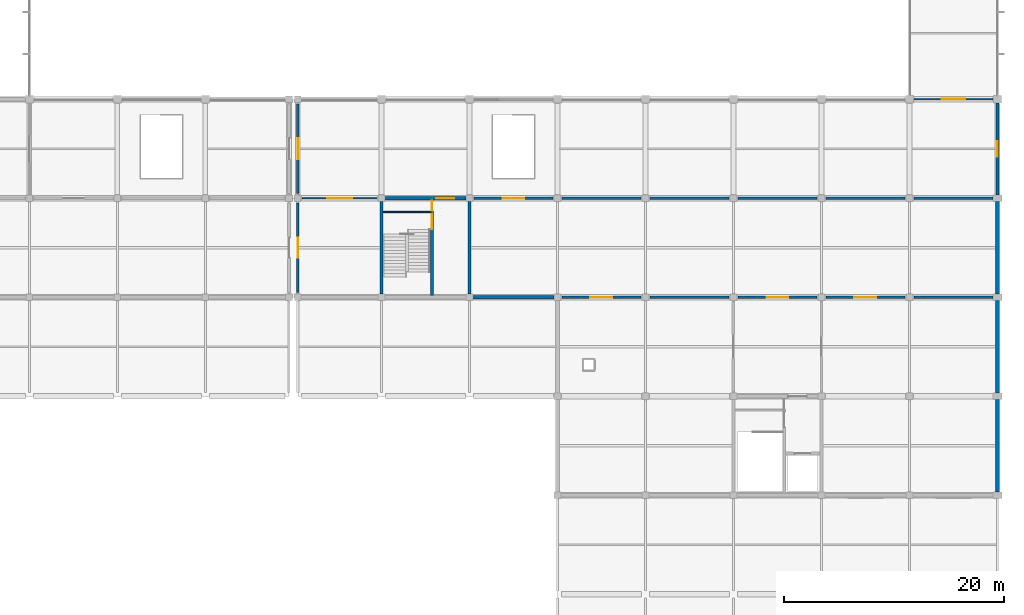
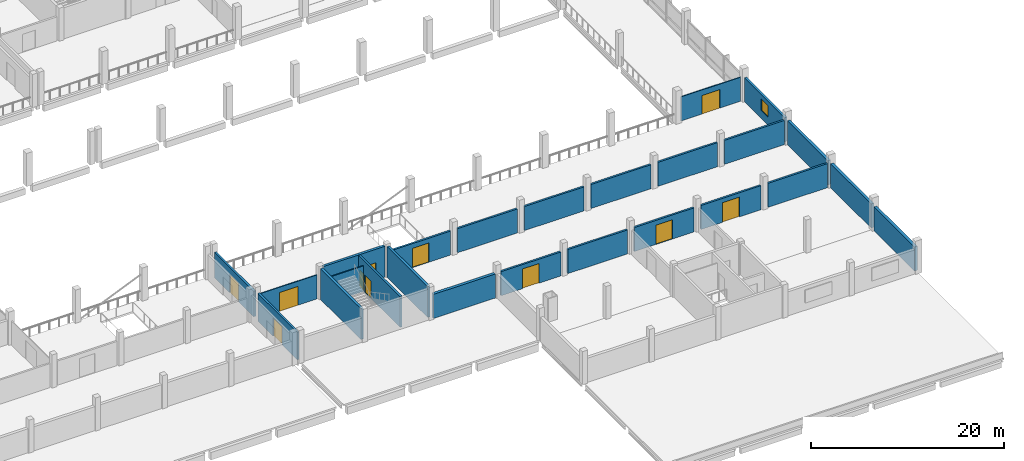
# One storey, part 48 of 57: 25 walls, 11 doors, 1 window, 12 openings.
"""IFC4 building model written with IfcOpenShell, lengths in metres."""

from ifc_helpers import new_model, si_unit, direction, frame, frame_2d, origin, place, context, subcontext, project, spatial, rectangle, extrude, material, layer, layer_set, type_object, element, fill, save


model = new_model("IFC4")

# Units and contexts
model_context = context("Model", 3, precision=1e-05, world=origin(), true_north=direction((0.0, 1.0)))
body_context = subcontext(model_context, "Body", "Model", "MODEL_VIEW")
ifc_project = project(units=[si_unit("LENGTHUNIT", "METRE"), si_unit("AREAUNIT", "SQUARE_METRE"), si_unit("VOLUMEUNIT", "CUBIC_METRE"), si_unit("PLANEANGLEUNIT", "RADIAN"), si_unit("MASSUNIT", "GRAM", prefix="KILO"), si_unit("THERMODYNAMICTEMPERATUREUNIT", "KELVIN"), si_unit("POWERUNIT", "WATT")], contexts=[model_context])

# Site, building, storey
site_placement = place(None, origin())
site = spatial("IfcSite", under=ifc_project, at=site_placement, CompositionType="ELEMENT")
building_placement = place(site_placement, origin())
building = spatial("IfcBuilding", under=site, at=building_placement, Name="Kronsvod Quay Wholesale Market", CompositionType="ELEMENT")
storey_placement = place(building_placement, frame((0.0, 0.0, 4.800048828125)))
storey = spatial("IfcBuildingStorey", under=building, at=storey_placement, Name="L01", CompositionType="ELEMENT", Elevation=4.800048828125)

# Wall, opening, door
ifc_material_1 = material(Name="Polyisocyanurate deep-freeze panel")
ifc_layer_1 = layer(ifc_material_1, 0.22998046875)
ifc_layer_set_1 = layer_set([ifc_layer_1], Name="Polyisocyanurate deep-freeze panel")
wall_type_1 = type_object("IfcWallType", Name="Wall_ColdFreezer230", PredefinedType="PARTITIONING", material=ifc_layer_set_1)
wall_1_placement = place(storey_placement, frame((152.419921875, 36.0, 0.0), z_axis=(0.0, 0.0, 1.0), x_axis=(1.0, 0.0, 0.0)))
wall_1 = element("IfcWall", 1, at=wall_1_placement, inside=storey, type_object=wall_type_1, Name="PW-L01-0045", PredefinedType="PARTITIONING", context=body_context, shape_type="SweptSolid", body=[
    extrude(rectangle(XDim=7.16015625, YDim=0.22998046875, at=frame_2d((3.580078125, 0.0))), origin(), (0.0, 0.0, 1.0), 3.050048828125),
])
opening_1_placement = place(wall_1_placement, frame((2.580078125, 0.0, 0.0)))
opening_1 = element("IfcOpeningElement", 2, at=opening_1_placement, cuts=wall_1, Name="Opening D-0237", PredefinedType="OPENING", context=body_context, shape_type="SweptSolid", body=[
    extrude(rectangle(XDim=2.0, YDim=2.5, at=frame_2d((1.0, 1.25))), frame((0.0, 0.125, 0.0), z_axis=(0.0, -1.0, 0.0), x_axis=(1.0, 0.0, 0.0)), (0.0, 0.0, 1.0), 0.25),
])
ifc_material_2 = material(Name="Heated-frame deep-freeze sliding door", Category="steel")
door_type_1 = type_object("IfcDoorType", Name="Door_FreezerSlide200x250", OperationType="SLIDING_TO_LEFT", PredefinedType="DOOR", material=ifc_material_2)
door_1_placement = place(opening_1_placement, origin())
door_1 = element("IfcDoor", 3, at=door_1_placement, inside=storey, type_object=door_type_1, Name="Interior Door D-0237", OperationType="SLIDING_TO_LEFT", OverallHeight=2.5, OverallWidth=2.0, PredefinedType="DOOR", context=body_context, shape_type="SweptSolid", body=[
    extrude(rectangle(XDim=2.0, YDim=2.5, at=frame_2d((1.0, 1.25))), frame((0.0, 0.02490234375, 0.0), z_axis=(0.0, -1.0, 0.0), x_axis=(1.0, 0.0, 0.0)), (0.0, 0.0, 1.0), 0.050048828125),
])
fill(opening_1, door_1)

# Wall
wall_2_placement = place(storey_placement, frame((160.419921875, 36.0, 0.0), z_axis=(0.0, 0.0, 1.0), x_axis=(1.0, 0.0, 0.0)))
element("IfcWall", 4, at=wall_2_placement, inside=storey, type_object=wall_type_1, Name="PW-L01-0046", PredefinedType="PARTITIONING", context=body_context, shape_type="SweptSolid", body=[
    extrude(rectangle(XDim=7.16015625, YDim=0.22998046875, at=frame_2d((3.580078125, 0.0))), origin(), (0.0, 0.0, 1.0), 3.050048828125),
])

# Wall, opening, door
wall_3_placement = place(storey_placement, frame((168.419921875, 36.0, 0.0), z_axis=(0.0, 0.0, 1.0), x_axis=(1.0, 0.0, 0.0)))
wall_3 = element("IfcWall", 5, at=wall_3_placement, inside=storey, type_object=wall_type_1, Name="PW-L01-0047", PredefinedType="PARTITIONING", context=body_context, shape_type="SweptSolid", body=[
    extrude(rectangle(XDim=7.16015625, YDim=0.22998046875, at=frame_2d((3.580078125, 0.0))), origin(), (0.0, 0.0, 1.0), 3.050048828125),
])
opening_2_placement = place(wall_3_placement, frame((2.60498046875, 0.0, 0.0)))
opening_2 = element("IfcOpeningElement", 6, at=opening_2_placement, cuts=wall_3, Name="Opening D-0238", PredefinedType="OPENING", context=body_context, shape_type="SweptSolid", body=[
    extrude(rectangle(XDim=1.949951171875, YDim=2.449951171875, at=frame_2d((0.97509765625, 1.22509765625))), frame((0.0, 0.125, 0.0), z_axis=(0.0, -1.0, 0.0), x_axis=(1.0, 0.0, 0.0)), (0.0, 0.0, 1.0), 0.25),
])
ifc_material_3 = material(Name="Heated-frame deep-freeze sliding door", Category="steel")
door_type_2 = type_object("IfcDoorType", Name="Door_FreezerSlide195x245", OperationType="SLIDING_TO_RIGHT", PredefinedType="DOOR", material=ifc_material_3)
door_2_placement = place(opening_2_placement, origin())
door_2 = element("IfcDoor", 7, at=door_2_placement, inside=storey, type_object=door_type_2, Name="Interior Door D-0238", OperationType="SLIDING_TO_LEFT", OverallHeight=2.449951171875, OverallWidth=1.949951171875, PredefinedType="DOOR", context=body_context, shape_type="SweptSolid", body=[
    extrude(rectangle(XDim=1.949951171875, YDim=2.449951171875, at=frame_2d((0.97509765625, 1.22509765625))), frame((0.0, 0.02490234375, 0.0), z_axis=(0.0, -1.0, 0.0), x_axis=(1.0, 0.0, 0.0)), (0.0, 0.0, 1.0), 0.050048828125),
])
fill(opening_2, door_2)

wall_4_placement = place(storey_placement, frame((176.419921875, 36.0, 0.0), z_axis=(0.0, 0.0, 1.0), x_axis=(1.0, 0.0, 0.0)))
wall_4 = element("IfcWall", 8, at=wall_4_placement, inside=storey, type_object=wall_type_1, Name="PW-L01-0048", PredefinedType="PARTITIONING", context=body_context, shape_type="SweptSolid", body=[
    extrude(rectangle(XDim=7.16015625, YDim=0.22998046875, at=frame_2d((3.580078125, 0.0))), origin(), (0.0, 0.0, 1.0), 3.050048828125),
])
opening_3_placement = place(wall_4_placement, frame((2.580078125, 0.0, 0.0)))
opening_3 = element("IfcOpeningElement", 9, at=opening_3_placement, cuts=wall_4, Name="Opening D-0239", PredefinedType="OPENING", context=body_context, shape_type="SweptSolid", body=[
    extrude(rectangle(XDim=2.0, YDim=2.5, at=frame_2d((1.0, 1.25))), frame((0.0, 0.125, 0.0), z_axis=(0.0, -1.0, 0.0), x_axis=(1.0, 0.0, 0.0)), (0.0, 0.0, 1.0), 0.25),
])
door_3_placement = place(opening_3_placement, origin())
door_3 = element("IfcDoor", 10, at=door_3_placement, inside=storey, type_object=door_type_1, Name="Interior Door D-0239", OperationType="SLIDING_TO_LEFT", OverallHeight=2.5, OverallWidth=2.0, PredefinedType="DOOR", context=body_context, shape_type="SweptSolid", body=[
    extrude(rectangle(XDim=2.0, YDim=2.5, at=frame_2d((1.0, 1.25))), frame((0.0, 0.02490234375, 0.0), z_axis=(0.0, -1.0, 0.0), x_axis=(1.0, 0.0, 0.0)), (0.0, 0.0, 1.0), 0.050048828125),
])
fill(opening_3, door_3)

# Wall
wall_5_placement = place(storey_placement, frame((184.419921875, 36.0, 0.0), z_axis=(0.0, 0.0, 1.0), x_axis=(1.0, 0.0, 0.0)))
element("IfcWall", 11, at=wall_5_placement, inside=storey, type_object=wall_type_1, Name="PW-L01-0049", PredefinedType="PARTITIONING", context=body_context, shape_type="SweptSolid", body=[
    extrude(rectangle(XDim=7.16015625, YDim=0.22998046875, at=frame_2d((3.580078125, 0.0))), origin(), (0.0, 0.0, 1.0), 3.050048828125),
])

# Wall, opening, door
wall_6_placement = place(storey_placement, frame((144.419921875, 45.0, 0.0), z_axis=(0.0, 0.0, 1.0), x_axis=(1.0, 0.0, 0.0)))
wall_6 = element("IfcWall", 12, at=wall_6_placement, inside=storey, type_object=wall_type_1, Name="PW-L01-0050", PredefinedType="PARTITIONING", context=body_context, shape_type="SweptSolid", body=[
    extrude(rectangle(XDim=7.16015625, YDim=0.22998046875, at=frame_2d((3.580078125, 0.0))), origin(), (0.0, 0.0, 1.0), 3.050048828125),
])
opening_4_placement = place(wall_6_placement, frame((2.60498046875, 0.0, 0.0)))
opening_4 = element("IfcOpeningElement", 13, at=opening_4_placement, cuts=wall_6, Name="Opening D-0240", PredefinedType="OPENING", context=body_context, shape_type="SweptSolid", body=[
    extrude(rectangle(XDim=1.949951171875, YDim=2.449951171875, at=frame_2d((0.97509765625, 1.22509765625))), frame((0.0, 0.125, 0.0), z_axis=(0.0, -1.0, 0.0), x_axis=(1.0, 0.0, 0.0)), (0.0, 0.0, 1.0), 0.25),
])
door_4_placement = place(opening_4_placement, origin())
door_4 = element("IfcDoor", 14, at=door_4_placement, inside=storey, type_object=door_type_2, Name="Interior Door D-0240", OperationType="SLIDING_TO_LEFT", OverallHeight=2.449951171875, OverallWidth=1.949951171875, PredefinedType="DOOR", context=body_context, shape_type="SweptSolid", body=[
    extrude(rectangle(XDim=1.949951171875, YDim=2.449951171875, at=frame_2d((0.97509765625, 1.22509765625))), frame((0.0, 0.02490234375, 0.0), z_axis=(0.0, -1.0, 0.0), x_axis=(1.0, 0.0, 0.0)), (0.0, 0.0, 1.0), 0.050048828125),
])
fill(opening_4, door_4)

# Walls
for number, where, z_axis, x_axis, name in (
    (15, (152.419921875, 45.0, 0.0), (0.0, 0.0, 1.0), (1.0, 0.0, 0.0), "PW-L01-0051"),
    (16, (160.419921875, 45.0, 0.0), (0.0, 0.0, 1.0), (1.0, 0.0, 0.0), "PW-L01-0052"),
    (17, (168.419921875, 45.0, 0.0), (0.0, 0.0, 1.0), (1.0, 0.0, 0.0), "PW-L01-0053"),
    (18, (176.419921875, 45.0, 0.0), (0.0, 0.0, 1.0), (1.0, 0.0, 0.0), "PW-L01-0054"),
    (19, (184.419921875, 45.0, 0.0), (0.0, 0.0, 1.0), (1.0, 0.0, 0.0), "PW-L01-0055"),
):
    element("IfcWall", number, at=place(storey_placement, frame(where, z_axis=z_axis, x_axis=x_axis)), inside=storey, type_object=wall_type_1, Name=name, PredefinedType="PARTITIONING", context=body_context, shape_type="SweptSolid", body=[
        extrude(rectangle(XDim=7.16015625, YDim=0.22998046875, at=frame_2d((3.580078125, 0.0))), origin(), (0.0, 0.0, 1.0), 3.050048828125),
    ])

# Wall, opening, door
ifc_material_4 = material(Name="Concrete C35/45", Category="concrete")
ifc_layer_2 = layer(ifc_material_4, 0.300048828125)
ifc_layer_set_2 = layer_set([ifc_layer_2], Name="Concrete C35/45")
wall_type_2 = type_object("IfcWallType", Name="Wall_CoreShear300", PredefinedType="SHEAR", material=ifc_layer_set_2)
wall_7_placement = place(storey_placement, frame((136.294921875, 45.0, 0.0), z_axis=(0.0, 0.0, 1.0), x_axis=(1.0, 0.0, 0.0)))
wall_7 = element("IfcWall", 20, at=wall_7_placement, inside=storey, type_object=wall_type_2, Name="CW-C05-L01-N", PredefinedType="SHEAR", context=body_context, shape_type="SweptSolid", body=[
    extrude(rectangle(XDim=7.41015625, YDim=0.300048828125, at=frame_2d((3.705078125, 0.0))), origin(), (0.0, 0.0, 1.0), 3.905029296875),
])
opening_5_placement = place(wall_7_placement, frame((4.699951171875, 0.0, 0.0)))
opening_5 = element("IfcOpeningElement", 21, at=opening_5_placement, cuts=wall_7, Name="Opening D-0050", PredefinedType="OPENING", context=body_context, shape_type="SweptSolid", body=[
    extrude(rectangle(XDim=1.60009765625, YDim=2.199951171875, at=frame_2d((0.800048828125, 1.10009765625))), frame((0.0, 0.16015625, 0.0), z_axis=(0.0, -1.0, 0.0), x_axis=(1.0, 0.0, 0.0)), (0.0, 0.0, 1.0), 0.320068359375),
])
ifc_material_5 = material(Name="Painted galvanized fire steel", Category="steel")
door_type_3 = type_object("IfcDoorType", Name="Door_FireLobby160x220", OperationType="DOUBLE_DOOR_SINGLE_SWING", PredefinedType="DOOR", material=ifc_material_5)
door_5_placement = place(opening_5_placement, origin())
door_5 = element("IfcDoor", 22, at=door_5_placement, inside=storey, type_object=door_type_3, Name="Core Lobby Door D-0050", OperationType="DOUBLE_DOOR_SINGLE_SWING", OverallHeight=2.199951171875, OverallWidth=1.60009765625, PredefinedType="DOOR", context=body_context, shape_type="SweptSolid", body=[
    extrude(rectangle(XDim=1.60009765625, YDim=2.199951171875, at=frame_2d((0.800048828125, 1.10009765625))), frame((0.0, 0.02490234375, 0.0), z_axis=(0.0, -1.0, 0.0), x_axis=(1.0, 0.0, 0.0)), (0.0, 0.0, 1.0), 0.050048828125),
])
fill(opening_5, door_5)

# Walls
for number, where, z_axis, x_axis, name in (
    (23, (136.0, 36.294921875, 0.0), (0.0, 0.0, 1.0), (0.0, 1.0, 0.0), "CW-C05-L01-W"),
    (24, (144.0, 36.294921875, 0.0), (0.0, 0.0, 1.0), (0.0, 1.0, 0.0), "CW-C05-L01-E"),
):
    element("IfcWall", number, at=place(storey_placement, frame(where, z_axis=z_axis, x_axis=x_axis)), inside=storey, type_object=wall_type_2, Name=name, PredefinedType="SHEAR", context=body_context, shape_type="SweptSolid", body=[
        extrude(rectangle(XDim=8.41015625, YDim=0.300048828125, at=frame_2d((4.205078125, 0.0))), origin(), (0.0, 0.0, 1.0), 3.905029296875),
    ])
ifc_material_6 = material(Name="Precast concrete C40/50", Category="concrete")
ifc_layer_3 = layer(ifc_material_6, 0.340087890625)
ifc_layer_set_3 = layer_set([ifc_layer_3], Name="Precast concrete C40/50")
wall_type_3 = type_object("IfcWallType", Name="Wall_ExtColdSandwich340", PredefinedType="SOLIDWALL", material=ifc_layer_set_3)
wall_8_placement = place(storey_placement, frame((144.294921875, 36.0, 0.0), z_axis=(0.0, 0.0, 1.0), x_axis=(1.0, 0.0, 0.0)))
element("IfcWall", 25, at=wall_8_placement, inside=storey, type_object=wall_type_3, Name="EW-X-L01-0144", PredefinedType="SOLIDWALL", context=body_context, shape_type="SweptSolid", body=[
    extrude(rectangle(XDim=7.41015625, YDim=0.340087890625, at=frame_2d((3.705078125, 0.0))), origin(), (0.0, 0.0, 1.0), 3.050048828125),
])
for number, where, z_axis, x_axis, name in (
    (26, (192.0, 18.294921875, 0.0), (0.0, 0.0, 1.0), (0.0, 1.0, 0.0), "EW-Y-L01-0153"),
    (27, (192.0, 27.294921875, 0.0), (0.0, 0.0, 1.0), (0.0, 1.0, 0.0), "EW-Y-L01-0154"),
    (28, (192.0, 36.294921875, 0.0), (0.0, 0.0, 1.0), (0.0, 1.0, 0.0), "EW-Y-L01-0155"),
):
    element("IfcWall", number, at=place(storey_placement, frame(where, z_axis=z_axis, x_axis=x_axis)), inside=storey, type_object=wall_type_3, Name=name, PredefinedType="SOLIDWALL", context=body_context, shape_type="SweptSolid", body=[
        extrude(rectangle(XDim=8.41015625, YDim=0.340087890625, at=frame_2d((4.205078125, 0.0))), origin(), (0.0, 0.0, 1.0), 3.050048828125),
    ])

# Wall, opening, window
ifc_material_7 = material(Name="Precast concrete C40/50", Category="concrete")
ifc_layer_4 = layer(ifc_material_7, 0.280029296875)
ifc_layer_set_4 = layer_set([ifc_layer_4], Name="Precast concrete C40/50")
wall_type_4 = type_object("IfcWallType", Name="Wall_ExtPrecast280", PredefinedType="SOLIDWALL", material=ifc_layer_set_4)
wall_9_placement = place(storey_placement, frame((192.0, 45.294921875, 0.0), z_axis=(0.0, 0.0, 1.0), x_axis=(0.0, 1.0, 0.0)))
wall_9 = element("IfcWall", 29, at=wall_9_placement, inside=storey, type_object=wall_type_4, Name="EW-Y-L01-0156", PredefinedType="SOLIDWALL", context=body_context, shape_type="SweptSolid", body=[
    extrude(rectangle(XDim=8.360107421875, YDim=0.280029296875, at=frame_2d((4.18017578125, 0.0))), origin(), (0.0, 0.0, 1.0), 3.050048828125),
])
opening_6_placement = place(wall_9_placement, frame((3.47998046875, 0.0, 1.0)))
opening_6 = element("IfcOpeningElement", 30, at=opening_6_placement, cuts=wall_9, Name="Opening WIN-12", PredefinedType="OPENING", context=body_context, shape_type="SweptSolid", body=[
    extrude(rectangle(XDim=1.39990234375, YDim=1.449951171875, at=frame_2d((0.699951171875, 0.72509765625))), frame((0.0, 0.14990234375, 0.0), z_axis=(0.0, -1.0, 0.0), x_axis=(1.0, 0.0, 0.0)), (0.0, 0.0, 1.0), 0.300048828125),
])
ifc_material_8 = material(Name="Thermally broken aluminium and triple low-E glazing", Category="aluminium")
window_type = type_object("IfcWindowType", Name="Win_W12", PartitioningType="SINGLE_PANEL", PredefinedType="WINDOW", material=ifc_material_8)
window_placement = place(opening_6_placement, origin())
window = element("IfcWindow", 31, at=window_placement, inside=storey, type_object=window_type, Name="WIN-Y-L01-0012", OverallHeight=1.449951171875, OverallWidth=1.39990234375, PartitioningType="SINGLE_PANEL", PredefinedType="WINDOW", context=body_context, shape_type="SweptSolid", body=[
    extrude(rectangle(XDim=1.39990234375, YDim=1.449951171875, at=frame_2d((0.699951171875, 0.72509765625))), frame((0.0, 0.030029296875, 0.0), z_axis=(0.0, -1.0, 0.0), x_axis=(1.0, 0.0, 0.0)), (0.0, 0.0, 1.0), 0.06005859375),
])
fill(opening_6, window)

# Wall, opening, door
ifc_material_9 = material(Name="Precast concrete C40/50", Category="concrete")
ifc_layer_5 = layer(ifc_material_9, 0.239990234375)
ifc_layer_set_5 = layer_set([ifc_layer_5], Name="Precast concrete C40/50")
wall_type_5 = type_object("IfcWallType", Name="Wall_ExtSpandrel240", PredefinedType="SOLIDWALL", material=ifc_layer_set_5)
wall_10_placement = place(storey_placement, frame((128.39990234375, 36.419921875, 0.0), z_axis=(0.0, 0.0, 1.0), x_axis=(0.0, 1.0, 0.0)))
wall_10 = element("IfcWall", 32, at=wall_10_placement, inside=storey, type_object=wall_type_5, Name="MJWG-L01-1284-360", PredefinedType="SOLIDWALL", context=body_context, shape_type="SweptSolid", body=[
    extrude(rectangle(XDim=8.16015625, YDim=0.239990234375, at=frame_2d((4.080078125, 0.0))), origin(), (0.0, 0.0, 1.0), 3.489990234375),
])
opening_7_placement = place(wall_10_placement, frame((3.179931640625, 0.0, 0.0)))
opening_7 = element("IfcOpeningElement", 33, at=opening_7_placement, cuts=wall_10, Name="Opening D-0368", PredefinedType="OPENING", context=body_context, shape_type="SweptSolid", body=[
    extrude(rectangle(XDim=1.800048828125, YDim=2.300048828125, at=frame_2d((0.89990234375, 1.14990234375))), frame((0.0, 0.1298828125, 0.0), z_axis=(0.0, -1.0, 0.0), x_axis=(1.0, 0.0, 0.0)), (0.0, 0.0, 1.0), 0.260009765625),
])
ifc_material_10 = material(Name="Painted galvanized fire steel", Category="steel")
door_type_4 = type_object("IfcDoorType", Name="Door_FireComp180x230", OperationType="DOUBLE_DOOR_SINGLE_SWING", PredefinedType="DOOR", material=ifc_material_10)
door_6_placement = place(opening_7_placement, origin())
door_6 = element("IfcDoor", 34, at=door_6_placement, inside=storey, type_object=door_type_4, Name="Fire Compartment Door D-0368", OperationType="DOUBLE_DOOR_SINGLE_SWING", OverallHeight=2.300048828125, OverallWidth=1.800048828125, PredefinedType="DOOR", context=body_context, shape_type="SweptSolid", body=[
    extrude(rectangle(XDim=1.800048828125, YDim=2.300048828125, at=frame_2d((0.89990234375, 1.14990234375))), frame((0.0, 0.02490234375, 0.0), z_axis=(0.0, -1.0, 0.0), x_axis=(1.0, 0.0, 0.0)), (0.0, 0.0, 1.0), 0.050048828125),
])
fill(opening_7, door_6)

wall_11_placement = place(storey_placement, frame((128.39990234375, 45.419921875, 0.0), z_axis=(0.0, 0.0, 1.0), x_axis=(0.0, 1.0, 0.0)))
wall_11 = element("IfcWall", 35, at=wall_11_placement, inside=storey, type_object=wall_type_5, Name="MJWG-L01-1284-450", PredefinedType="SOLIDWALL", context=body_context, shape_type="SweptSolid", body=[
    extrude(rectangle(XDim=8.16015625, YDim=0.239990234375, at=frame_2d((4.080078125, 0.0))), origin(), (0.0, 0.0, 1.0), 3.239990234375),
])
opening_8_placement = place(wall_11_placement, frame((3.1298828125, 0.0, 0.0)))
opening_8 = element("IfcOpeningElement", 36, at=opening_8_placement, cuts=wall_11, Name="Opening D-0369", PredefinedType="OPENING", context=body_context, shape_type="SweptSolid", body=[
    extrude(rectangle(XDim=1.89990234375, YDim=2.35009765625, at=frame_2d((0.949951171875, 1.175048828125))), frame((0.0, 0.1298828125, 0.0), z_axis=(0.0, -1.0, 0.0), x_axis=(1.0, 0.0, 0.0)), (0.0, 0.0, 1.0), 0.260009765625),
])
ifc_material_11 = material(Name="Painted galvanized fire steel", Category="steel")
door_type_5 = type_object("IfcDoorType", Name="Door_FireComp190x235", OperationType="DOUBLE_DOOR_SINGLE_SWING", PredefinedType="DOOR", material=ifc_material_11)
door_7_placement = place(opening_8_placement, origin())
door_7 = element("IfcDoor", 37, at=door_7_placement, inside=storey, type_object=door_type_5, Name="Fire Compartment Door D-0369", OperationType="DOUBLE_DOOR_SINGLE_SWING", OverallHeight=2.35009765625, OverallWidth=1.89990234375, PredefinedType="DOOR", context=body_context, shape_type="SweptSolid", body=[
    extrude(rectangle(XDim=1.89990234375, YDim=2.35009765625, at=frame_2d((0.949951171875, 1.175048828125))), frame((0.0, 0.02490234375, 0.0), z_axis=(0.0, -1.0, 0.0), x_axis=(1.0, 0.0, 0.0)), (0.0, 0.0, 1.0), 0.050048828125),
])
fill(opening_8, door_7)

ifc_material_12 = material(Name="Double-glazed gallery screen partition", Category="glass")
ifc_layer_6 = layer(ifc_material_12, 0.10791015625)
ifc_layer_set_6 = layer_set([ifc_layer_6], Name="Double-glazed gallery screen partition")
wall_type_6 = type_object("IfcWallType", Name="Wall_PartGlazed108", PredefinedType="PARTITIONING", material=ifc_layer_set_6)
wall_12_placement = place(storey_placement, frame((128.820068359375, 45.0, 0.0), z_axis=(0.0, 0.0, 1.0), x_axis=(1.0, 0.0, 0.0)))
wall_12 = element("IfcWall", 38, at=wall_12_placement, inside=storey, type_object=wall_type_6, Name="PW-L01-0044", PredefinedType="PARTITIONING", context=body_context, shape_type="SweptSolid", body=[
    extrude(rectangle(XDim=6.760009765625, YDim=0.10791015625, at=frame_2d((3.3798828125, 0.0))), origin(), (0.0, 0.0, 1.0), 3.050048828125),
])
opening_9_placement = place(wall_12_placement, frame((2.2548828125, 0.0, 0.0)))
opening_9 = element("IfcOpeningElement", 39, at=opening_9_placement, cuts=wall_12, Name="Opening D-0236", PredefinedType="OPENING", context=body_context, shape_type="SweptSolid", body=[
    extrude(rectangle(XDim=2.25, YDim=2.3798828125, at=frame_2d((1.125, 1.18994140625))), frame((0.0, 0.06396484375, 0.0), z_axis=(0.0, -1.0, 0.0), x_axis=(1.0, 0.0, 0.0)), (0.0, 0.0, 1.0), 0.1279296875),
])
ifc_material_13 = material(Name="Glazed aluminium hall portal", Category="aluminium")
door_type_6 = type_object("IfcDoorType", Name="Door_HallPortal225x238", OperationType="DOUBLE_DOOR_SINGLE_SWING", PredefinedType="DOOR", material=ifc_material_13)
door_8_placement = place(opening_9_placement, origin())
door_8 = element("IfcDoor", 40, at=door_8_placement, inside=storey, type_object=door_type_6, Name="Interior Door D-0236", OperationType="DOUBLE_DOOR_SINGLE_SWING", OverallHeight=2.3798828125, OverallWidth=2.25, PredefinedType="DOOR", context=body_context, shape_type="SweptSolid", body=[
    extrude(rectangle(XDim=2.25, YDim=2.3798828125, at=frame_2d((1.125, 1.18994140625))), frame((0.0, 0.02490234375, 0.0), z_axis=(0.0, -1.0, 0.0), x_axis=(1.0, 0.0, 0.0)), (0.0, 0.0, 1.0), 0.050048828125),
])
fill(opening_9, door_8)

wall_13_placement = place(storey_placement, frame((184.419921875, 54.0, 0.0), z_axis=(0.0, 0.0, 1.0), x_axis=(1.0, 0.0, 0.0)))
wall_13 = element("IfcWall", 41, at=wall_13_placement, inside=storey, type_object=wall_type_6, Name="PW-L01-0061", PredefinedType="PARTITIONING", context=body_context, shape_type="SweptSolid", body=[
    extrude(rectangle(XDim=7.16015625, YDim=0.10791015625, at=frame_2d((3.580078125, 0.0))), origin(), (0.0, 0.0, 1.0), 3.050048828125),
])
opening_10_placement = place(wall_13_placement, frame((2.5048828125, 0.0, 0.0)))
opening_10 = element("IfcOpeningElement", 42, at=opening_10_placement, cuts=wall_13, Name="Opening D-0246", PredefinedType="OPENING", context=body_context, shape_type="SweptSolid", body=[
    extrude(rectangle(XDim=2.14990234375, YDim=2.35009765625, at=frame_2d((1.074951171875, 1.175048828125))), frame((0.0, 0.06396484375, 0.0), z_axis=(0.0, -1.0, 0.0), x_axis=(1.0, 0.0, 0.0)), (0.0, 0.0, 1.0), 0.1279296875),
])
ifc_material_14 = material(Name="Glazed aluminium hall portal", Category="aluminium")
door_type_7 = type_object("IfcDoorType", Name="Door_HallPortal215x235", OperationType="DOUBLE_DOOR_SINGLE_SWING", PredefinedType="DOOR", material=ifc_material_14)
door_9_placement = place(opening_10_placement, origin())
door_9 = element("IfcDoor", 43, at=door_9_placement, inside=storey, type_object=door_type_7, Name="Interior Door D-0246", OperationType="DOUBLE_DOOR_SINGLE_SWING", OverallHeight=2.35009765625, OverallWidth=2.14990234375, PredefinedType="DOOR", context=body_context, shape_type="SweptSolid", body=[
    extrude(rectangle(XDim=2.14990234375, YDim=2.35009765625, at=frame_2d((1.074951171875, 1.175048828125))), frame((0.0, 0.02490234375, 0.0), z_axis=(0.0, -1.0, 0.0), x_axis=(1.0, 0.0, 0.0)), (0.0, 0.0, 1.0), 0.050048828125),
])
fill(opening_10, door_9)

# Wall
ifc_material_15 = material(Name="Fire-rated shaft riser block wall", Category="masonry")
ifc_layer_7 = layer(ifc_material_15, 0.1298828125)
ifc_layer_set_7 = layer_set([ifc_layer_7], Name="Fire-rated shaft riser block wall")
wall_type_7 = type_object("IfcWallType", Name="Wall_PartRiser130", PredefinedType="PARTITIONING", material=ifc_layer_set_7)
wall_14_placement = place(storey_placement, frame((136.179931640625, 43.75, 0.0), z_axis=(0.0, 0.0, 1.0), x_axis=(1.0, 0.0, 0.0)))
element("IfcWall", 44, at=wall_14_placement, inside=storey, type_object=wall_type_7, Name="CW-C05-L01-RSR", PredefinedType="PARTITIONING", context=body_context, shape_type="SweptSolid", body=[
    extrude(rectangle(XDim=4.280029296875, YDim=0.1298828125, at=frame_2d((2.14013671875, 0.0))), origin(), (0.0, 0.0, 1.0), 3.2548828125),
])

# Wall, openings, doors
ifc_material_16 = material(Name="Concrete C35/45", Category="concrete")
ifc_layer_8 = layer(ifc_material_16, 0.239990234375)
ifc_layer_set_8 = layer_set([ifc_layer_8], Name="Concrete C35/45")
wall_type_8 = type_object("IfcWallType", Name="Wall_ShaftWall240", PredefinedType="SHEAR", material=ifc_layer_set_8)
wall_15_placement = place(storey_placement, frame((140.60009765625, 36.179931640625, 0.0), z_axis=(0.0, 0.0, 1.0), x_axis=(0.0, 1.0, 0.0)))
wall_15 = element("IfcWall", 45, at=wall_15_placement, inside=storey, type_object=wall_type_8, Name="CW-C05-L01-DIV", PredefinedType="SHEAR", context=body_context, shape_type="SweptSolid", body=[
    extrude(rectangle(XDim=8.64013671875, YDim=0.239990234375, at=frame_2d((4.320068359375, 0.0))), origin(), (0.0, 0.0, 1.0), 3.905029296875),
])
opening_11_placement = place(wall_15_placement, frame((6.02001953125, 0.0, 0.0)))
opening_11 = element("IfcOpeningElement", 46, at=opening_11_placement, cuts=wall_15, Name="Opening D-0048", PredefinedType="OPENING", context=body_context, shape_type="SweptSolid", body=[
    extrude(rectangle(XDim=1.35009765625, YDim=2.199951171875, at=frame_2d((0.675048828125, 1.10009765625))), frame((0.0, 0.1298828125, 0.0), z_axis=(0.0, -1.0, 0.0), x_axis=(1.0, 0.0, 0.0)), (0.0, 0.0, 1.0), 0.260009765625),
])
opening_12_placement = place(wall_15_placement, frame((7.679931640625, 0.0, 0.0)))
opening_12 = element("IfcOpeningElement", 47, at=opening_12_placement, cuts=wall_15, Name="Opening D-0049", PredefinedType="OPENING", context=body_context, shape_type="SweptSolid", body=[
    extrude(rectangle(XDim=0.89990234375, YDim=2.050048828125, at=frame_2d((0.449951171875, 1.02490234375))), frame((0.0, 0.1298828125, 0.0), z_axis=(0.0, -1.0, 0.0), x_axis=(1.0, 0.0, 0.0)), (0.0, 0.0, 1.0), 0.260009765625),
])
ifc_material_17 = material(Name="Painted galvanized fire steel", Category="steel")
door_type_8 = type_object("IfcDoorType", Name="Door_FireStair135x220", OperationType="NOTDEFINED", PredefinedType="DOOR", material=ifc_material_17)
door_10_placement = place(opening_11_placement, origin())
door_10 = element("IfcDoor", 48, at=door_10_placement, inside=storey, type_object=door_type_8, Name="Stair Fire Door D-0048", OperationType="SINGLE_SWING_LEFT", OverallHeight=2.199951171875, OverallWidth=1.35009765625, PredefinedType="DOOR", context=body_context, shape_type="SweptSolid", body=[
    extrude(rectangle(XDim=1.35009765625, YDim=2.199951171875, at=frame_2d((0.675048828125, 1.10009765625))), frame((0.0, 0.02490234375, 0.0), z_axis=(0.0, -1.0, 0.0), x_axis=(1.0, 0.0, 0.0)), (0.0, 0.0, 1.0), 0.050048828125),
])
fill(opening_11, door_10)
ifc_material_18 = material(Name="Fire-rated steel riser access door", Category="steel")
door_type_9 = type_object("IfcDoorType", Name="Door_Riser90x205", OperationType="NOTDEFINED", PredefinedType="DOOR", material=ifc_material_18)
door_11_placement = place(opening_12_placement, origin())
door_11 = element("IfcDoor", 49, at=door_11_placement, inside=storey, type_object=door_type_9, Name="Service Riser Door D-0049", OperationType="SINGLE_SWING_RIGHT", OverallHeight=2.050048828125, OverallWidth=0.89990234375, PredefinedType="DOOR", context=body_context, shape_type="SweptSolid", body=[
    extrude(rectangle(XDim=0.89990234375, YDim=2.050048828125, at=frame_2d((0.449951171875, 1.02490234375))), frame((0.0, 0.02490234375, 0.0), z_axis=(0.0, -1.0, 0.0), x_axis=(1.0, 0.0, 0.0)), (0.0, 0.0, 1.0), 0.050048828125),
])
fill(opening_12, door_11)

save(model, "model.ifc")
